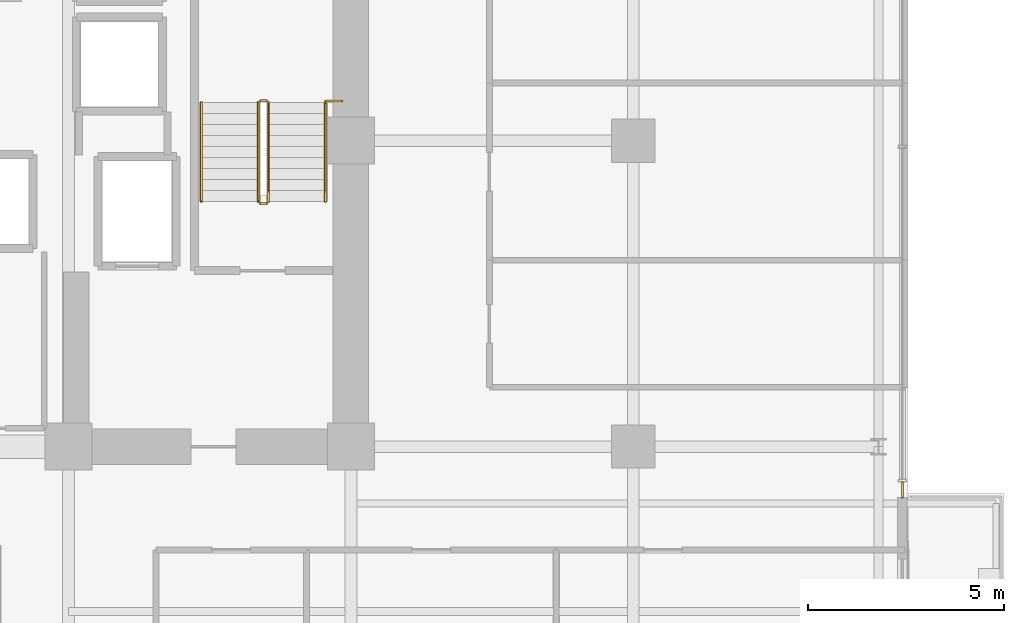
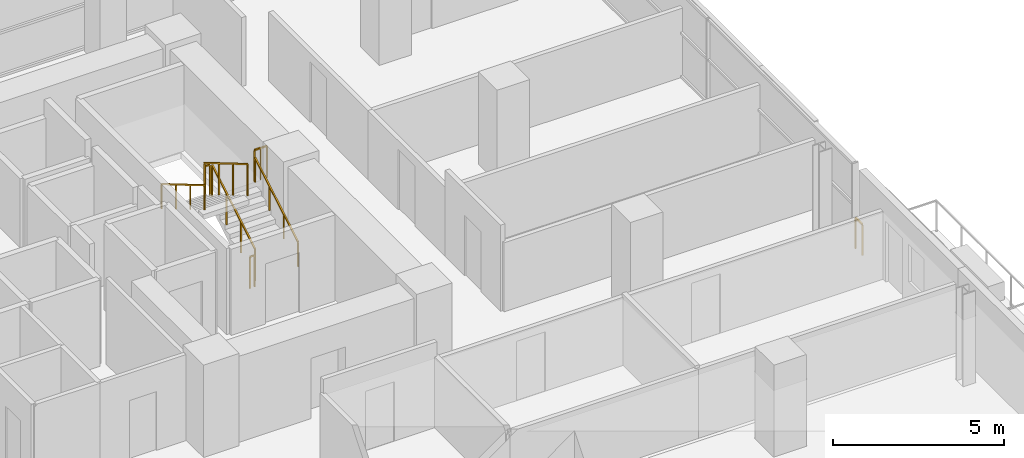
# One storey, part 29 of 30: 8 railings.
"""IFC4 building model written with IfcOpenShell, lengths in metres."""

from ifc_helpers import new_model, si_unit, direction, frame, origin, origin_2d, place, context, subcontext, project, spatial, rectangle, extrude, material, type_object, element, save


model = new_model("IFC4")

# Units and contexts
model_context = context("Model", 3, precision=1e-05, world=origin(), true_north=direction((0.0, 1.0)))
body_context = subcontext(model_context, "Body", "Model", "MODEL_VIEW")
ifc_project = project(units=[si_unit("LENGTHUNIT", "METRE"), si_unit("AREAUNIT", "SQUARE_METRE"), si_unit("VOLUMEUNIT", "CUBIC_METRE"), si_unit("PLANEANGLEUNIT", "RADIAN"), si_unit("MASSUNIT", "GRAM", prefix="KILO")], contexts=[model_context])

# Site, building, storey
site_placement = place(None, origin())
site = spatial("IfcSite", under=ifc_project, at=site_placement, CompositionType="ELEMENT")
building_placement = place(site_placement, origin())
building = spatial("IfcBuilding", under=site, at=building_placement, Name="Zarnakvel Exchange Tower", CompositionType="ELEMENT")
storey_placement = place(building_placement, frame((0.0, 0.0, 43.89990234375)))
storey = spatial("IfcBuildingStorey", under=building, at=storey_placement, Name="L11", CompositionType="ELEMENT", Elevation=43.89990234375)

# Railings
ifc_material_1 = material(Name="Architectural Bronze Anodised Aluminium", Category="aluminium")
railing_type_1 = type_object("IfcRailingType", Name="GR-02", PredefinedType="GUARDRAIL", material=ifc_material_1)
railing_1_placement = place(storey_placement, frame((28.4599609375, -2.10009765625, 0.0)))
element("IfcRailing", 1, at=railing_1_placement, inside=storey, type_object=railing_type_1, Name="L11 Corner Spandrel Balustrade #9", PredefinedType="GUARDRAIL", context=body_context, shape_type="SweptSolid", body=[
    extrude(rectangle(XDim=0.048095703125, YDim=0.048095703125, at=origin_2d()), frame((0.0, 0.0, 1.09619140625), z_axis=(0.0, -1.0, 0.0), x_axis=(1.0, 0.0, 0.0)), (0.0, 0.0, 1.0), 0.39990234375),
    extrude(rectangle(XDim=0.0419921875, YDim=0.0419921875, at=origin_2d()), origin(), (0.0, 0.0, 1.0), 1.072021484375),
    extrude(rectangle(XDim=0.0419921875, YDim=0.0419921875, at=origin_2d()), frame((0.0, -0.39990234375, 0.0)), (0.0, 0.0, 1.0), 1.072021484375),
])
ifc_material_2 = material(Name="Brushed Stainless Steel", Category="steel")
railing_type_2 = type_object("IfcRailingType", Name="HR-01", PredefinedType="HANDRAIL", material=ifc_material_2)
railing_2_placement = place(storey_placement, frame((13.75, 5.050048828125, 0.1650390625)))
element("IfcRailing", 2, at=railing_2_placement, inside=storey, type_object=railing_type_2, Name="L11 ST-02 stair handrail 1", PredefinedType="HANDRAIL", context=body_context, shape_type="SweptSolid", body=[
    extrude(rectangle(XDim=0.048095703125, YDim=0.048095703125, at=origin_2d()), frame((0.0, 0.0, 0.8759765625), z_axis=(0.0, 0.86152411907, 0.507716645641), x_axis=(-1.0, 0.0, 0.0)), (0.0, 0.0, 1.0), 2.925048828125),
    extrude(rectangle(XDim=0.0419921875, YDim=0.0419921875, at=origin_2d()), origin(), (0.0, 0.0, 1.0), 0.851806640625),
    extrude(rectangle(XDim=0.0419921875, YDim=0.0419921875, at=origin_2d()), frame((0.0, 0.840087890625, 0.4951171875)), (0.0, 0.0, 1.0), 0.851806640625),
    extrude(rectangle(XDim=0.0419921875, YDim=0.0419921875, at=origin_2d()), frame((0.0, 1.679931640625, 0.989990234375)), (0.0, 0.0, 1.0), 0.851806640625),
    extrude(rectangle(XDim=0.0419921875, YDim=0.0419921875, at=origin_2d()), frame((0.0, 2.52001953125, 1.485107421875)), (0.0, 0.0, 1.0), 0.851806640625),
])
railing_3_placement = place(storey_placement, frame((10.590087890625, 7.570068359375, 1.815185546875)))
element("IfcRailing", 3, at=railing_3_placement, inside=storey, type_object=railing_type_2, Name="L11 ST-02 stair handrail 2", PredefinedType="HANDRAIL", context=body_context, shape_type="SweptSolid", body=[
    extrude(rectangle(XDim=0.048095703125, YDim=0.048095703125, at=origin_2d()), frame((0.0, 0.0, 0.8759765625), z_axis=(0.0, -0.861560626758, 0.507654692109), x_axis=(1.0, 0.0, 0.0)), (0.0, 0.0, 1.0), 2.925048828125),
    extrude(rectangle(XDim=0.0419921875, YDim=0.0419921875, at=origin_2d()), origin(), (0.0, 0.0, 1.0), 0.851806640625),
    extrude(rectangle(XDim=0.0419921875, YDim=0.0419921875, at=origin_2d()), frame((0.0, -0.840087890625, 0.494873046875)), (0.0, 0.0, 1.0), 0.851806640625),
    extrude(rectangle(XDim=0.0419921875, YDim=0.0419921875, at=origin_2d()), frame((0.0, -1.679931640625, 0.989990234375)), (0.0, 0.0, 1.0), 0.851806640625),
    extrude(rectangle(XDim=0.0419921875, YDim=0.0419921875, at=origin_2d()), frame((0.0, -2.52001953125, 1.48486328125)), (0.0, 0.0, 1.0), 0.851806640625),
])
railing_type_3 = type_object("IfcRailingType", Name="SG-01", PredefinedType="GUARDRAIL", material=ifc_material_1)
railing_4_placement = place(storey_placement, frame((12.300048828125, 5.050048828125, 0.1650390625)))
element("IfcRailing", 4, at=railing_4_placement, inside=storey, type_object=railing_type_3, Name="L11 ST-02 stair guard 1", PredefinedType="GUARDRAIL", context=body_context, shape_type="SweptSolid", body=[
    extrude(rectangle(XDim=0.048095703125, YDim=0.048095703125, at=origin_2d()), frame((0.0, 0.0, 1.1259765625), z_axis=(0.0, 0.86152411907, 0.507716645641), x_axis=(-1.0, 0.0, 0.0)), (0.0, 0.0, 1.0), 2.925048828125),
    extrude(rectangle(XDim=0.0419921875, YDim=0.0419921875, at=origin_2d()), origin(), (0.0, 0.0, 1.0), 1.101806640625),
    extrude(rectangle(XDim=0.0419921875, YDim=0.0419921875, at=origin_2d()), frame((0.0, 0.840087890625, 0.4951171875)), (0.0, 0.0, 1.0), 1.101806640625),
    extrude(rectangle(XDim=0.0419921875, YDim=0.0419921875, at=origin_2d()), frame((0.0, 1.679931640625, 0.989990234375)), (0.0, 0.0, 1.0), 1.101806640625),
    extrude(rectangle(XDim=0.0419921875, YDim=0.0419921875, at=origin_2d()), frame((0.0, 2.52001953125, 1.485107421875)), (0.0, 0.0, 1.0), 1.101806640625),
])
railing_5_placement = place(storey_placement, frame((12.25, 7.6201171875, 1.650146484375)))
element("IfcRailing", 5, at=railing_5_placement, inside=storey, type_object=railing_type_3, Name="L11 ST-02 stair guard 2", PredefinedType="GUARDRAIL", context=body_context, shape_type="SweptSolid", body=[
    extrude(rectangle(XDim=0.048095703125, YDim=0.048095703125, at=origin_2d()), frame((0.0, 0.0, 1.1259765625), z_axis=(-1.0, 0.0, 0.0), x_axis=(0.0, -1.0, 0.0)), (0.0, 0.0, 1.0), 0.159912109375),
    extrude(rectangle(XDim=0.0419921875, YDim=0.0419921875, at=origin_2d()), origin(), (0.0, 0.0, 1.0), 1.101806640625),
    extrude(rectangle(XDim=0.0419921875, YDim=0.0419921875, at=origin_2d()), frame((-0.159912109375, 0.0, 0.0)), (0.0, 0.0, 1.0), 1.101806640625),
])
railing_6_placement = place(storey_placement, frame((12.0400390625, 7.570068359375, 1.815185546875)))
element("IfcRailing", 6, at=railing_6_placement, inside=storey, type_object=railing_type_3, Name="L11 ST-02 stair guard 3", PredefinedType="GUARDRAIL", context=body_context, shape_type="SweptSolid", body=[
    extrude(rectangle(XDim=0.048095703125, YDim=0.048095703125, at=origin_2d()), frame((0.0, 0.0, 1.1259765625), z_axis=(0.0, -0.861560626758, 0.507654692109), x_axis=(1.0, 0.0, 0.0)), (0.0, 0.0, 1.0), 2.925048828125),
    extrude(rectangle(XDim=0.0419921875, YDim=0.0419921875, at=origin_2d()), origin(), (0.0, 0.0, 1.0), 1.101806640625),
    extrude(rectangle(XDim=0.0419921875, YDim=0.0419921875, at=origin_2d()), frame((0.0, -0.840087890625, 0.494873046875)), (0.0, 0.0, 1.0), 1.101806640625),
    extrude(rectangle(XDim=0.0419921875, YDim=0.0419921875, at=origin_2d()), frame((0.0, -1.679931640625, 0.989990234375)), (0.0, 0.0, 1.0), 1.101806640625),
    extrude(rectangle(XDim=0.0419921875, YDim=0.0419921875, at=origin_2d()), frame((0.0, -2.52001953125, 1.48486328125)), (0.0, 0.0, 1.0), 1.101806640625),
])
railing_7_placement = place(storey_placement, frame((12.25, 5.0, 0.0)))
element("IfcRailing", 7, at=railing_7_placement, inside=storey, type_object=railing_type_3, Name="L11 ST-02 stair guard 4", PredefinedType="GUARDRAIL", context=body_context, shape_type="SweptSolid", body=[
    extrude(rectangle(XDim=0.048095703125, YDim=0.048095703125, at=origin_2d()), frame((0.0, 0.0, 1.1259765625), z_axis=(-1.0, 0.0, 0.0), x_axis=(0.0, -1.0, 0.0)), (0.0, 0.0, 1.0), 0.159912109375),
    extrude(rectangle(XDim=0.0419921875, YDim=0.0419921875, at=origin_2d()), origin(), (0.0, 0.0, 1.0), 1.101806640625),
    extrude(rectangle(XDim=0.0419921875, YDim=0.0419921875, at=origin_2d()), frame((-0.159912109375, 0.0, 0.0)), (0.0, 0.0, 1.0), 1.101806640625),
])
railing_8_placement = place(storey_placement, frame((13.75, 7.610107421875, 1.650146484375)))
element("IfcRailing", 8, at=railing_8_placement, inside=storey, type_object=railing_type_3, Name="L11 ST-02 Landing Slot Guardrail", PredefinedType="GUARDRAIL", context=body_context, shape_type="SweptSolid", body=[
    extrude(rectangle(XDim=0.048095703125, YDim=0.048095703125, at=origin_2d()), frame((0.0, 0.0, 1.1259765625), z_axis=(1.0, 0.0, 0.0), x_axis=(0.0, 1.0, 0.0)), (0.0, 0.0, 1.0), 0.429931640625),
    extrude(rectangle(XDim=0.0419921875, YDim=0.0419921875, at=origin_2d()), origin(), (0.0, 0.0, 1.0), 1.101806640625),
    extrude(rectangle(XDim=0.0419921875, YDim=0.0419921875, at=origin_2d()), frame((0.21484375, 0.0, 0.0)), (0.0, 0.0, 1.0), 1.101806640625),
    extrude(rectangle(XDim=0.0419921875, YDim=0.0419921875, at=origin_2d()), frame((0.429931640625, 0.0, 0.0)), (0.0, 0.0, 1.0), 1.101806640625),
])

save(model, "model.ifc")
